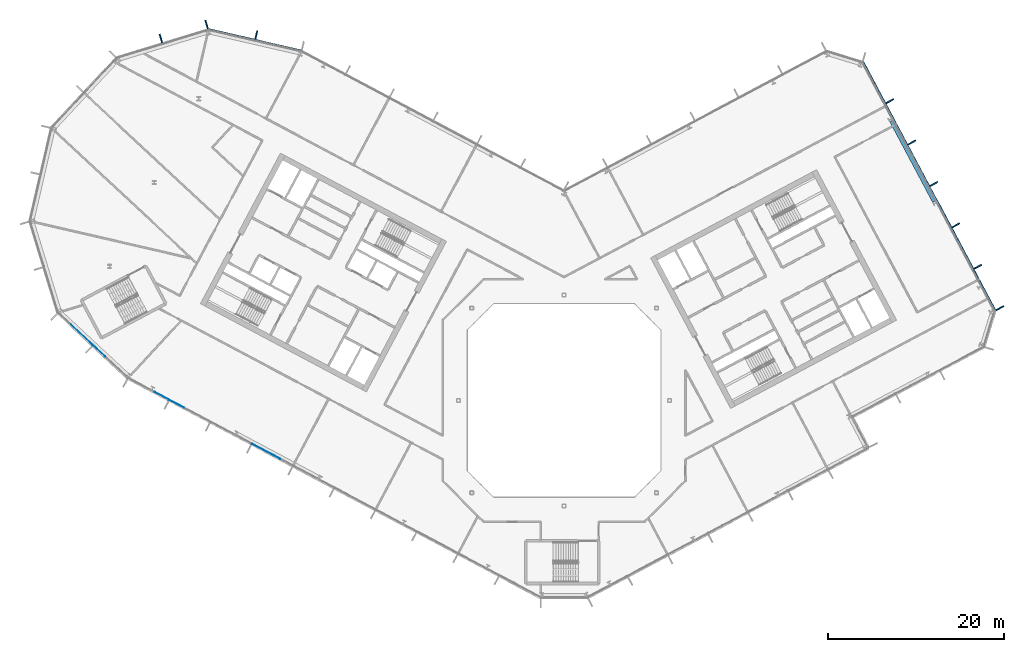
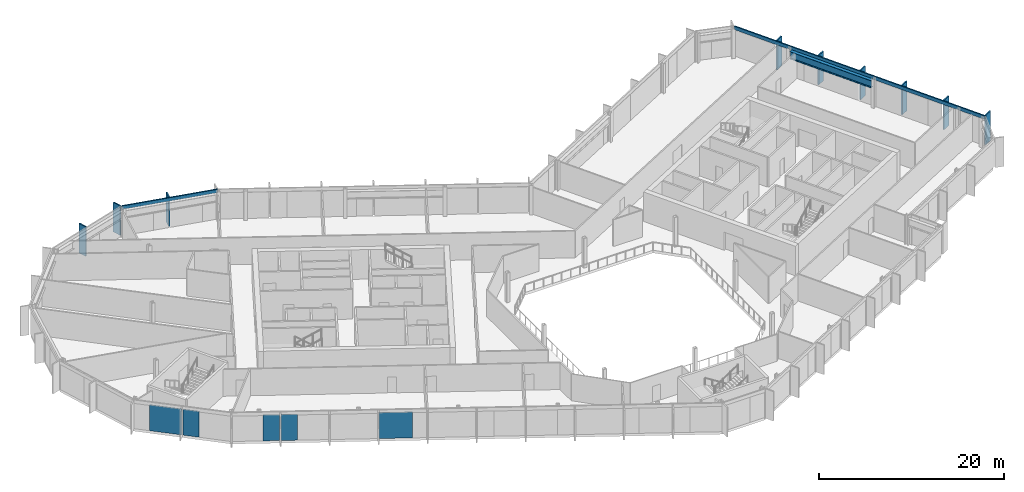
# One storey, part 10 of 26: 11 members, 5 plates, 1 beam, 5 elements without a shape of their own.
"""IFC4 building model written with IfcOpenShell, lengths in metres."""

from ifc_helpers import new_model, si_unit, direction, frame, origin, origin_2d, place, context, subcontext, project, spatial, rectangle, i_section, extrude, material, layer, layer_set, material_profile, profile_set, type_object, element, aggregate, save


model = new_model("IFC4")

# Units and contexts
model_context = context("Model", 3, precision=1e-05, world=origin(), true_north=direction((0.0, 1.0)))
body_context = subcontext(model_context, "Body", "Model", "MODEL_VIEW")
ifc_project = project(units=[si_unit("LENGTHUNIT", "METRE"), si_unit("AREAUNIT", "SQUARE_METRE"), si_unit("VOLUMEUNIT", "CUBIC_METRE"), si_unit("PLANEANGLEUNIT", "RADIAN"), si_unit("MASSUNIT", "GRAM", prefix="KILO")], contexts=[model_context])

# Site, building, storey
site_placement = place(None, origin())
site = spatial("IfcSite", under=ifc_project, at=site_placement, CompositionType="ELEMENT")
building_placement = place(site_placement, origin())
building = spatial("IfcBuilding", under=site, at=building_placement, Name="Cormorant Relay Tower", CompositionType="ELEMENT")
storey_placement = place(building_placement, frame((0.0, 0.0, 205.199951171875)))
storey = spatial("IfcBuildingStorey", under=building, at=storey_placement, Name="L44", CompositionType="ELEMENT", Elevation=205.199951171875)

# Curtain wall, members
ifc_material_1 = material(Name="Aluminium 6063-T6 anodised bronze", Category="aluminium")
ifc_layer_1 = layer(ifc_material_1, 0.199951171875)
ifc_layer_set_1 = layer_set([ifc_layer_1], Name="CW1 unitised bronze curtain wall with vertical fins")
curtain_wall_type = type_object("IfcCurtainWallType", Name="CW1 unitised bronze curtain wall with vertical fins", PredefinedType="NOTDEFINED", material=ifc_layer_set_1)
curtain_wall_1_placement = place(storey_placement, origin())
curtain_wall_1 = element("IfcCurtainWall", 1, at=curtain_wall_1_placement, inside=storey, type_object=curtain_wall_type, Name="CW1 curtain wall 6", PredefinedType="NOTDEFINED")
ifc_material_2 = material(Name="Aluminium 6063-T6 anodised bronze", Category="aluminium")
ifc_material_profile_1 = material_profile(ifc_material_2, rectangle(XDim=0.14990234375, YDim=1.0, at=origin_2d()), Name="AL 150x1000")
ifc_profile_set_1 = profile_set([ifc_material_profile_1], Name="Aluminium 6063-T6 anodised bronze")
member_type_1 = type_object("IfcMemberType", Name="CW1 bronze fin mullion 150 x 1000", PredefinedType="MULLION", material=ifc_profile_set_1)
member_1_placement = place(storey_placement, frame((49.572021484375, 10.501953125, 0.0), z_axis=(0.0, 0.0, 1.0), x_axis=(-0.469471562786, 0.882947592859, 0.0)))
member_1 = element("IfcMember", 2, at=member_1_placement, type_object=member_type_1, Name="CW1 fin 6.1", PredefinedType="MULLION", context=body_context, shape_type="SweptSolid", body=[
    extrude(rectangle(XDim=0.14990234375, YDim=1.0, at=origin_2d()), origin(), (0.0, 0.0, 1.0), 3.900146484375),
])
member_2_placement = place(storey_placement, frame((47.068359375, 15.211181640625, 0.0), z_axis=(0.0, 0.0, 1.0), x_axis=(-0.469471562786, 0.882947592859, 0.0)))
member_2 = element("IfcMember", 3, at=member_2_placement, type_object=member_type_1, Name="CW1 fin 6.2", PredefinedType="MULLION", context=body_context, shape_type="SweptSolid", body=[
    extrude(rectangle(XDim=0.14990234375, YDim=1.0, at=origin_2d()), origin(), (0.0, 0.0, 1.0), 3.900146484375),
])
member_3_placement = place(storey_placement, frame((44.564453125, 19.920166015625, 0.0), z_axis=(0.0, 0.0, 1.0), x_axis=(-0.469471562786, 0.882947592859, 0.0)))
member_3 = element("IfcMember", 4, at=member_3_placement, type_object=member_type_1, Name="CW1 fin 6.3", PredefinedType="MULLION", context=body_context, shape_type="SweptSolid", body=[
    extrude(rectangle(XDim=0.14990234375, YDim=1.0, at=origin_2d()), origin(), (0.0, 0.0, 1.0), 3.900146484375),
])
member_4_placement = place(storey_placement, frame((42.060546875, 24.629150390625, 0.0), z_axis=(0.0, 0.0, 1.0), x_axis=(-0.469471562786, 0.882947592859, 0.0)))
member_4 = element("IfcMember", 5, at=member_4_placement, type_object=member_type_1, Name="CW1 fin 6.4", PredefinedType="MULLION", context=body_context, shape_type="SweptSolid", body=[
    extrude(rectangle(XDim=0.14990234375, YDim=1.0, at=origin_2d()), origin(), (0.0, 0.0, 1.0), 3.900146484375),
])
member_5_placement = place(storey_placement, frame((39.556884765625, 29.338134765625, 0.0), z_axis=(0.0, 0.0, 1.0), x_axis=(-0.469471562786, 0.882947592859, 0.0)))
member_5 = element("IfcMember", 6, at=member_5_placement, type_object=member_type_1, Name="CW1 fin 6.5", PredefinedType="MULLION", context=body_context, shape_type="SweptSolid", body=[
    extrude(rectangle(XDim=0.14990234375, YDim=1.0, at=origin_2d()), origin(), (0.0, 0.0, 1.0), 3.900146484375),
])
member_6_placement = place(storey_placement, frame((37.052978515625, 34.04736328125, 0.0), z_axis=(0.0, 0.0, 1.0), x_axis=(-0.469471562786, 0.882947592859, 0.0)))
member_6 = element("IfcMember", 7, at=member_6_placement, type_object=member_type_1, Name="CW1 fin 6.6", PredefinedType="MULLION", context=body_context, shape_type="SweptSolid", body=[
    extrude(rectangle(XDim=0.14990234375, YDim=1.0, at=origin_2d()), origin(), (0.0, 0.0, 1.0), 3.900146484375),
])

# Curtain wall, member
curtain_wall_2_placement = place(storey_placement, origin())
curtain_wall_2 = element("IfcCurtainWall", 8, at=curtain_wall_2_placement, inside=storey, type_object=curtain_wall_type, Name="CW1 curtain wall 10", PredefinedType="NOTDEFINED")
member_7_placement = place(storey_placement, frame((-35.01220703125, 41.57275390625, 0.0), z_axis=(0.0, 0.0, 1.0), x_axis=(-0.974370064785, 0.224951054344, 0.0)))
member_7 = element("IfcMember", 9, at=member_7_placement, type_object=member_type_1, Name="CW1 fin 10.2", PredefinedType="MULLION", context=body_context, shape_type="SweptSolid", body=[
    extrude(rectangle(XDim=0.14990234375, YDim=1.0, at=origin_2d()), origin(), (0.0, 0.0, 1.0), 3.900146484375),
])

# Curtain wall, members
curtain_wall_3_placement = place(storey_placement, origin())
curtain_wall_3 = element("IfcCurtainWall", 10, at=curtain_wall_3_placement, inside=storey, type_object=curtain_wall_type, Name="CW1 curtain wall 11", PredefinedType="NOTDEFINED")
member_8_placement = place(storey_placement, frame((-40.670166015625, 42.78271484375, 0.0), z_axis=(0.0, 0.0, 1.0), x_axis=(-0.956304755963, -0.292371704723, 0.0)))
member_8 = element("IfcMember", 11, at=member_8_placement, type_object=member_type_1, Name="CW1 fin 11.1", PredefinedType="MULLION", context=body_context, shape_type="SweptSolid", body=[
    extrude(rectangle(XDim=0.14990234375, YDim=1.0, at=origin_2d()), origin(), (0.0, 0.0, 1.0), 3.900146484375),
])
member_9_placement = place(storey_placement, frame((-45.867919921875, 41.193603515625, 0.0), z_axis=(0.0, 0.0, 1.0), x_axis=(-0.956304755963, -0.292371704723, 0.0)))
member_9 = element("IfcMember", 12, at=member_9_placement, type_object=member_type_1, Name="CW1 fin 11.2", PredefinedType="MULLION", context=body_context, shape_type="SweptSolid", body=[
    extrude(rectangle(XDim=0.14990234375, YDim=1.0, at=origin_2d()), origin(), (0.0, 0.0, 1.0), 3.900146484375),
])
aggregate(curtain_wall_3, [member_8, member_9])

# Member
ifc_material_3 = material(Name="Aluminium 6063-T6 anodised bronze", Category="aluminium")
ifc_material_profile_2 = material_profile(ifc_material_3, rectangle(XDim=0.159912109375, YDim=0.449951171875, at=origin_2d()), Name="AL 160x450")
ifc_profile_set_2 = profile_set([ifc_material_profile_2], Name="Aluminium 6063-T6 anodised bronze")
member_type_2 = type_object("IfcMemberType", Name="CW1 bronze transom 160 x 450", PredefinedType="USERDEFINED", material=ifc_profile_set_2)
member_10_placement = place(storey_placement, frame((49.06005859375, 10.229736328125, 3.675048828125), z_axis=(-0.46947036835, 0.882948227951, 0.0), x_axis=(-0.882948227951, -0.46947036835, 0.0)))
member_10 = element("IfcMember", 13, at=member_10_placement, type_object=member_type_2, Name="CW1 transom 6", ObjectType="TRANSOM", PredefinedType="USERDEFINED", context=body_context, shape_type="SweptSolid", body=[
    extrude(rectangle(XDim=0.159912109375, YDim=0.449951171875, at=origin_2d()), origin(), (0.0, 0.0, 1.0), 31.999755859375),
])

aggregate(curtain_wall_1, [member_1, member_2, member_3, member_4, member_5, member_6, member_10])

member_11_placement = place(storey_placement, frame((-29.8466796875, 39.784912109375, 3.675048828125), z_axis=(-0.974365070969, 0.224972683844, 0.0), x_axis=(-0.224972683844, -0.974365070969, 0.0)))
member_11 = element("IfcMember", 14, at=member_11_placement, type_object=member_type_2, Name="CW1 transom 10", ObjectType="TRANSOM", PredefinedType="USERDEFINED", context=body_context, shape_type="SweptSolid", body=[
    extrude(rectangle(XDim=0.159912109375, YDim=0.449951171875, at=origin_2d()), origin(), (0.0, 0.0, 1.0), 10.870361328125),
])

aggregate(curtain_wall_2, [member_7, member_11])

# Beam
ifc_material_4 = material(Name="Steel ASTM A992 (Fy 345 MPa)", Category="steel")
ifc_material_profile_3 = material_profile(ifc_material_4, i_section(OverallWidth=0.4013671875, OverallDepth=0.990478515625, WebThickness=0.0166015625, FlangeThickness=0.031005859375, FilletRadius=0.030029296875, at=origin_2d()), Name="W1000x320")
ifc_profile_set_3 = profile_set([ifc_material_profile_3], Name="Steel ASTM A992 (Fy 345 MPa)")
beam_type = type_object("IfcBeamType", Name="Spandrel W1000x320", PredefinedType="SPANDREL", material=ifc_profile_set_3)
beam_placement = place(storey_placement, frame((42.109619140625, 22.61865234375, 3.044677734375), z_axis=(-0.469476269233, 0.882945090381, 0.0), x_axis=(-0.882945090381, -0.469476269233, 0.0)))
element("IfcBeam", 15, at=beam_placement, inside=storey, type_object=beam_type, Name="Spandrel beam L44-006", PredefinedType="SPANDREL", context=body_context, shape_type="SweptSolid", body=[
    extrude(i_section(OverallWidth=0.4013671875, OverallDepth=0.990478515625, WebThickness=0.0166015625, FlangeThickness=0.031005859375, FilletRadius=0.030029296875, at=origin_2d()), origin(), (0.0, 0.0, 1.0), 10.396484375),
])

# Curtain wall, plate
curtain_wall_4_placement = place(storey_placement, origin())
curtain_wall_4 = element("IfcCurtainWall", 16, at=curtain_wall_4_placement, inside=storey, type_object=curtain_wall_type, Name="CW1 curtain wall 15", PredefinedType="NOTDEFINED")
ifc_material_5 = material(Name="Tinted laminated glass", Category="glass")
ifc_layer_2 = layer(ifc_material_5, 0.0400390625)
ifc_layer_set_2 = layer_set([ifc_layer_2], Name="CW1 tinted vision panel 1800 module")
plate_type_1 = type_object("IfcPlateType", Name="CW1 tinted vision panel 1800 module", PredefinedType="CURTAIN_PANEL", material=ifc_layer_set_2)
plate_1_placement = place(storey_placement, frame((-52.8671875, 5.611572265625, 0.0), z_axis=(0.0, 0.0, 1.0), x_axis=(0.731353701619, -0.681998360062, 0.0)))
plate_1 = element("IfcPlate", 17, at=plate_1_placement, type_object=plate_type_1, Name="CW1 panel V02", PredefinedType="CURTAIN_PANEL", context=body_context, shape_type="SweptSolid", body=[
    extrude(rectangle(XDim=1.800048828125, YDim=0.0400390625, at=origin_2d()), origin(), (0.0, 0.0, 1.0), 3.449951171875),
])

# Curtain wall, plates
curtain_wall_5_placement = place(storey_placement, origin())
curtain_wall_5 = element("IfcCurtainWall", 18, at=curtain_wall_5_placement, inside=storey, type_object=curtain_wall_type, Name="CW1 curtain wall 16", PredefinedType="NOTDEFINED")
plate_2_placement = place(storey_placement, frame((-45.767578125, 0.5283203125, 0.0), z_axis=(0.0, 0.0, 1.0), x_axis=(0.882947592859, -0.469471562786, 0.0)))
plate_2 = element("IfcPlate", 19, at=plate_2_placement, type_object=plate_type_1, Name="CW1 panel V01", PredefinedType="CURTAIN_PANEL", context=body_context, shape_type="SweptSolid", body=[
    extrude(rectangle(XDim=1.800048828125, YDim=0.0400390625, at=origin_2d()), origin(), (0.0, 0.0, 1.0), 3.449951171875),
])
plate_3_placement = place(storey_placement, frame((-44.0458984375, -0.38720703125, 0.0), z_axis=(0.0, 0.0, 1.0), x_axis=(0.882947592859, -0.469471562786, 0.0)))
plate_3 = element("IfcPlate", 20, at=plate_3_placement, type_object=plate_type_1, Name="CW1 panel V02", PredefinedType="CURTAIN_PANEL", context=body_context, shape_type="SweptSolid", body=[
    extrude(rectangle(XDim=1.800048828125, YDim=0.0400390625, at=origin_2d()), origin(), (0.0, 0.0, 1.0), 3.449951171875),
])

# Plate
ifc_material_6 = material(Name="Tinted laminated glass", Category="glass")
ifc_layer_3 = layer(ifc_material_6, 0.0400390625)
ifc_layer_set_3 = layer_set([ifc_layer_3], Name="CW1 tinted vision panel 3600 module")
plate_type_2 = type_object("IfcPlateType", Name="CW1 tinted vision panel 3600 module", PredefinedType="CURTAIN_PANEL", material=ifc_layer_set_3)
plate_4_placement = place(storey_placement, frame((-54.951416015625, 7.55517578125, 0.0), z_axis=(0.0, 0.0, 1.0), x_axis=(0.731353701619, -0.681998360062, 0.0)))
plate_4 = element("IfcPlate", 21, at=plate_4_placement, type_object=plate_type_2, Name="CW1 panel V01", PredefinedType="CURTAIN_PANEL", context=body_context, shape_type="SweptSolid", body=[
    extrude(rectangle(XDim=3.60009765625, YDim=0.0400390625, at=origin_2d()), origin(), (0.0, 0.0, 1.0), 3.449951171875),
])

aggregate(curtain_wall_4, [plate_4, plate_1])

plate_5_placement = place(storey_placement, frame((-33.862548828125, -5.801513671875, 0.0), z_axis=(0.0, 0.0, 1.0), x_axis=(0.882947592859, -0.469471562786, 0.0)))
plate_5 = element("IfcPlate", 22, at=plate_5_placement, type_object=plate_type_2, Name="CW1 panel V04", PredefinedType="CURTAIN_PANEL", context=body_context, shape_type="SweptSolid", body=[
    extrude(rectangle(XDim=3.60009765625, YDim=0.0400390625, at=origin_2d()), origin(), (0.0, 0.0, 1.0), 3.449951171875),
])

aggregate(curtain_wall_5, [plate_2, plate_3, plate_5])

save(model, "model.ifc")
